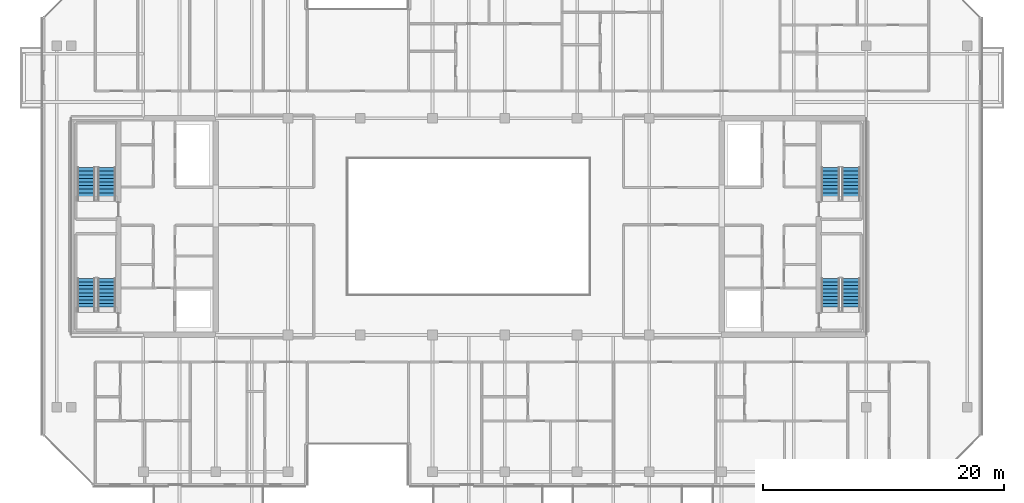
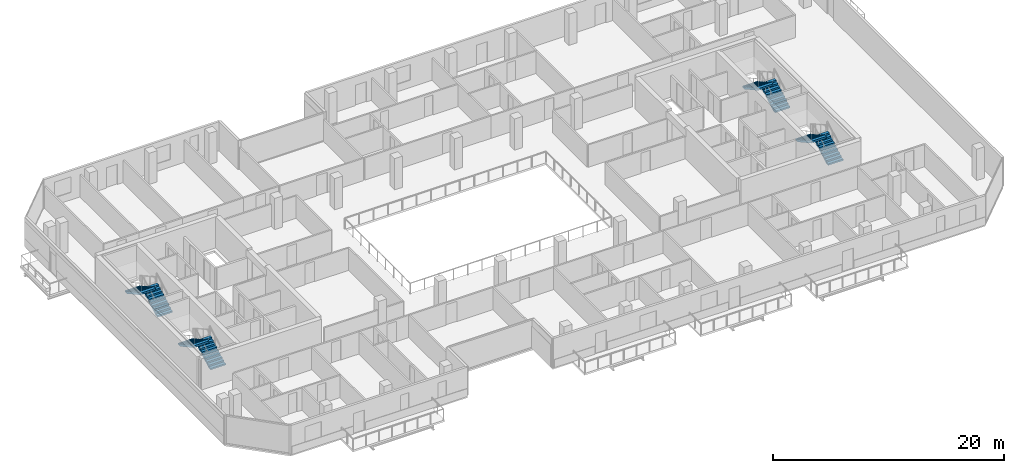
# One storey, part 24 of 28: 8 stair flights, 4 elements without a shape of their own.
"""IFC4 building model written with IfcOpenShell, lengths in metres."""

from ifc_helpers import new_model, si_unit, direction, frame, origin, place, context, subcontext, project, spatial, polyline, outline, extrude, material, type_object, element, aggregate, save


model = new_model("IFC4")

# Units and contexts
model_context = context("Model", 3, precision=1e-05, world=origin(), true_north=direction((0.0, 1.0)))
body_context = subcontext(model_context, "Body", "Model", "MODEL_VIEW")
ifc_project = project(units=[si_unit("LENGTHUNIT", "METRE"), si_unit("AREAUNIT", "SQUARE_METRE"), si_unit("VOLUMEUNIT", "CUBIC_METRE"), si_unit("PLANEANGLEUNIT", "RADIAN"), si_unit("MASSUNIT", "GRAM", prefix="KILO")], contexts=[model_context])

# Site, building, storey
site_placement = place(None, origin())
site = spatial("IfcSite", under=ifc_project, at=site_placement, CompositionType="ELEMENT")
building_placement = place(site_placement, origin())
building = spatial("IfcBuilding", under=site, at=building_placement, Name="Tanjung Sevakor Pilgrim Tower", CompositionType="ELEMENT")
storey_placement = place(building_placement, frame((0.0, 0.0, 185.1298828125)))
storey = spatial("IfcBuildingStorey", under=building, at=storey_placement, Name="L51", CompositionType="ELEMENT", Elevation=185.1298828125)

# Stair, stair flights
ifc_material_1 = material(Name="Concrete C40/50", Category="concrete")
stair_type = type_object("IfcStairType", Name="STAIR-ST-CR150", PredefinedType="HALF_TURN_STAIR", material=ifc_material_1)
stair_1_placement = place(storey_placement, origin())
stair_1 = element("IfcStair", 1, at=stair_1_placement, inside=storey, type_object=stair_type, Name="L51 West Core Exit Stair 1", PredefinedType="HALF_TURN_STAIR")
ifc_material_2 = material(Name="Concrete C40/50", Category="concrete")
stair_flight_type = type_object("IfcStairFlightType", Name="FLIGHT-ST-CR150", PredefinedType="STRAIGHT", material=ifc_material_2)
stair_flight_1_placement = place(storey_placement, frame((26.949951171875, 26.60009765625, 0.0), z_axis=(0.0, 0.0, 1.0), x_axis=(0.0, 1.0, 0.0)))
stair_flight_1 = element("IfcStairFlight", 2, at=stair_flight_1_placement, type_object=stair_flight_type, Name="TS-W1 flight 1", NumberOfRisers=10, NumberOfTreads=9, PredefinedType="STRAIGHT", RiserHeight=0.165, TreadLength=0.3, context=body_context, shape_type="SweptSolid", body=[
    extrude(outline(polyline([(0.0, 0.0), (0.0, 0.1650390625), (0.300048828125, 0.1650390625), (0.300048828125, 0.330078125), (0.60009765625, 0.330078125), (0.60009765625, 0.4951171875), (0.89990234375, 0.4951171875), (0.89990234375, 0.659912109375), (1.199951171875, 0.659912109375), (1.199951171875, 0.824951171875), (1.5, 0.824951171875), (1.5, 0.989990234375), (1.800048828125, 0.989990234375), (1.800048828125, 1.155029296875), (2.10009765625, 1.155029296875), (2.10009765625, 1.320068359375), (2.39990234375, 1.320068359375), (2.39990234375, 1.485107421875), (2.699951171875, 1.485107421875), (2.699951171875, 1.64990234375), (2.699951171875, 1.302490234375), (0.331787109375, 0.0), (0.0, 0.0)])), frame((0.0, 0.75, 0.0), z_axis=(0.0, -1.0, 0.0), x_axis=(1.0, 0.0, 0.0)), (0.0, 0.0, 1.0), 1.5),
])
stair_flight_2_placement = place(storey_placement, frame((25.25, 29.300048828125, 1.650146484375), z_axis=(0.0, 0.0, 1.0), x_axis=(0.0, -1.0, 0.0)))
stair_flight_2 = element("IfcStairFlight", 3, at=stair_flight_2_placement, type_object=stair_flight_type, Name="TS-W1 flight 2", NumberOfRisers=10, NumberOfTreads=9, PredefinedType="STRAIGHT", RiserHeight=0.165, TreadLength=0.3, context=body_context, shape_type="SweptSolid", body=[
    extrude(outline(polyline([(0.0, 0.0), (0.0, 0.1650390625), (0.300048828125, 0.1650390625), (0.300048828125, 0.330078125), (0.60009765625, 0.330078125), (0.60009765625, 0.4951171875), (0.89990234375, 0.4951171875), (0.89990234375, 0.659912109375), (1.199951171875, 0.659912109375), (1.199951171875, 0.824951171875), (1.5, 0.824951171875), (1.5, 0.989990234375), (1.800048828125, 0.989990234375), (1.800048828125, 1.155029296875), (2.10009765625, 1.155029296875), (2.10009765625, 1.320068359375), (2.39990234375, 1.320068359375), (2.39990234375, 1.485107421875), (2.699951171875, 1.485107421875), (2.699951171875, 1.64990234375), (2.699951171875, 1.302490234375), (0.331787109375, 0.0), (0.0, 0.0)])), frame((0.0, 0.75, 0.0), z_axis=(0.0, -1.0, 0.0), x_axis=(1.0, 0.0, 0.0)), (0.0, 0.0, 1.0), 1.5),
])
aggregate(stair_1, [stair_flight_1, stair_flight_2])

stair_2_placement = place(storey_placement, origin())
stair_2 = element("IfcStair", 4, at=stair_2_placement, inside=storey, type_object=stair_type, Name="L51 West Core Exit Stair 2", PredefinedType="HALF_TURN_STAIR")
stair_flight_3_placement = place(storey_placement, frame((26.949951171875, 35.800048828125, 0.0), z_axis=(0.0, 0.0, 1.0), x_axis=(0.0, 1.0, 0.0)))
stair_flight_3 = element("IfcStairFlight", 5, at=stair_flight_3_placement, type_object=stair_flight_type, Name="TS-W2 flight 1", NumberOfRisers=10, NumberOfTreads=9, PredefinedType="STRAIGHT", RiserHeight=0.165, TreadLength=0.3, context=body_context, shape_type="SweptSolid", body=[
    extrude(outline(polyline([(0.0, 0.0), (0.0, 0.1650390625), (0.300048828125, 0.1650390625), (0.300048828125, 0.330078125), (0.60009765625, 0.330078125), (0.60009765625, 0.4951171875), (0.89990234375, 0.4951171875), (0.89990234375, 0.659912109375), (1.199951171875, 0.659912109375), (1.199951171875, 0.824951171875), (1.5, 0.824951171875), (1.5, 0.989990234375), (1.800048828125, 0.989990234375), (1.800048828125, 1.155029296875), (2.10009765625, 1.155029296875), (2.10009765625, 1.320068359375), (2.39990234375, 1.320068359375), (2.39990234375, 1.485107421875), (2.699951171875, 1.485107421875), (2.699951171875, 1.64990234375), (2.699951171875, 1.302490234375), (0.331787109375, 0.0), (0.0, 0.0)])), frame((0.0, 0.75, 0.0), z_axis=(0.0, -1.0, 0.0), x_axis=(1.0, 0.0, 0.0)), (0.0, 0.0, 1.0), 1.5),
])
stair_flight_4_placement = place(storey_placement, frame((25.25, 38.5, 1.650146484375), z_axis=(0.0, 0.0, 1.0), x_axis=(0.0, -1.0, 0.0)))
stair_flight_4 = element("IfcStairFlight", 6, at=stair_flight_4_placement, type_object=stair_flight_type, Name="TS-W2 flight 2", NumberOfRisers=10, NumberOfTreads=9, PredefinedType="STRAIGHT", RiserHeight=0.165, TreadLength=0.3, context=body_context, shape_type="SweptSolid", body=[
    extrude(outline(polyline([(0.0, 0.0), (0.0, 0.1650390625), (0.300048828125, 0.1650390625), (0.300048828125, 0.330078125), (0.60009765625, 0.330078125), (0.60009765625, 0.4951171875), (0.89990234375, 0.4951171875), (0.89990234375, 0.659912109375), (1.199951171875, 0.659912109375), (1.199951171875, 0.824951171875), (1.5, 0.824951171875), (1.5, 0.989990234375), (1.800048828125, 0.989990234375), (1.800048828125, 1.155029296875), (2.10009765625, 1.155029296875), (2.10009765625, 1.320068359375), (2.39990234375, 1.320068359375), (2.39990234375, 1.485107421875), (2.699951171875, 1.485107421875), (2.699951171875, 1.64990234375), (2.699951171875, 1.302490234375), (0.331787109375, 0.0), (0.0, 0.0)])), frame((0.0, 0.75, 0.0), z_axis=(0.0, -1.0, 0.0), x_axis=(1.0, 0.0, 0.0)), (0.0, 0.0, 1.0), 1.5),
])
aggregate(stair_2, [stair_flight_3, stair_flight_4])

stair_3_placement = place(storey_placement, origin())
stair_3 = element("IfcStair", 7, at=stair_3_placement, inside=storey, type_object=stair_type, Name="L51 East Core Exit Stair 1", PredefinedType="HALF_TURN_STAIR")
stair_flight_5_placement = place(storey_placement, frame((88.75, 26.60009765625, 0.0), z_axis=(0.0, 0.0, 1.0), x_axis=(0.0, 1.0, 0.0)))
stair_flight_5 = element("IfcStairFlight", 8, at=stair_flight_5_placement, type_object=stair_flight_type, Name="TS-E1 flight 1", NumberOfRisers=10, NumberOfTreads=9, PredefinedType="STRAIGHT", RiserHeight=0.165, TreadLength=0.3, context=body_context, shape_type="SweptSolid", body=[
    extrude(outline(polyline([(0.0, 0.0), (0.0, 0.1650390625), (0.300048828125, 0.1650390625), (0.300048828125, 0.330078125), (0.60009765625, 0.330078125), (0.60009765625, 0.4951171875), (0.89990234375, 0.4951171875), (0.89990234375, 0.659912109375), (1.199951171875, 0.659912109375), (1.199951171875, 0.824951171875), (1.5, 0.824951171875), (1.5, 0.989990234375), (1.800048828125, 0.989990234375), (1.800048828125, 1.155029296875), (2.10009765625, 1.155029296875), (2.10009765625, 1.320068359375), (2.39990234375, 1.320068359375), (2.39990234375, 1.485107421875), (2.699951171875, 1.485107421875), (2.699951171875, 1.64990234375), (2.699951171875, 1.302490234375), (0.331787109375, 0.0), (0.0, 0.0)])), frame((0.0, 0.75, 0.0), z_axis=(0.0, -1.0, 0.0), x_axis=(1.0, 0.0, 0.0)), (0.0, 0.0, 1.0), 1.5),
])
stair_flight_6_placement = place(storey_placement, frame((87.050048828125, 29.300048828125, 1.650146484375), z_axis=(0.0, 0.0, 1.0), x_axis=(0.0, -1.0, 0.0)))
stair_flight_6 = element("IfcStairFlight", 9, at=stair_flight_6_placement, type_object=stair_flight_type, Name="TS-E1 flight 2", NumberOfRisers=10, NumberOfTreads=9, PredefinedType="STRAIGHT", RiserHeight=0.165, TreadLength=0.3, context=body_context, shape_type="SweptSolid", body=[
    extrude(outline(polyline([(0.0, 0.0), (0.0, 0.1650390625), (0.300048828125, 0.1650390625), (0.300048828125, 0.330078125), (0.60009765625, 0.330078125), (0.60009765625, 0.4951171875), (0.89990234375, 0.4951171875), (0.89990234375, 0.659912109375), (1.199951171875, 0.659912109375), (1.199951171875, 0.824951171875), (1.5, 0.824951171875), (1.5, 0.989990234375), (1.800048828125, 0.989990234375), (1.800048828125, 1.155029296875), (2.10009765625, 1.155029296875), (2.10009765625, 1.320068359375), (2.39990234375, 1.320068359375), (2.39990234375, 1.485107421875), (2.699951171875, 1.485107421875), (2.699951171875, 1.64990234375), (2.699951171875, 1.302490234375), (0.331787109375, 0.0), (0.0, 0.0)])), frame((0.0, 0.75, 0.0), z_axis=(0.0, -1.0, 0.0), x_axis=(1.0, 0.0, 0.0)), (0.0, 0.0, 1.0), 1.5),
])
aggregate(stair_3, [stair_flight_5, stair_flight_6])

stair_4_placement = place(storey_placement, origin())
stair_4 = element("IfcStair", 10, at=stair_4_placement, inside=storey, type_object=stair_type, Name="L51 East Core Exit Stair 2", PredefinedType="HALF_TURN_STAIR")
stair_flight_7_placement = place(storey_placement, frame((88.75, 35.800048828125, 0.0), z_axis=(0.0, 0.0, 1.0), x_axis=(0.0, 1.0, 0.0)))
stair_flight_7 = element("IfcStairFlight", 11, at=stair_flight_7_placement, type_object=stair_flight_type, Name="TS-E2 flight 1", NumberOfRisers=10, NumberOfTreads=9, PredefinedType="STRAIGHT", RiserHeight=0.165, TreadLength=0.3, context=body_context, shape_type="SweptSolid", body=[
    extrude(outline(polyline([(0.0, 0.0), (0.0, 0.1650390625), (0.300048828125, 0.1650390625), (0.300048828125, 0.330078125), (0.60009765625, 0.330078125), (0.60009765625, 0.4951171875), (0.89990234375, 0.4951171875), (0.89990234375, 0.659912109375), (1.199951171875, 0.659912109375), (1.199951171875, 0.824951171875), (1.5, 0.824951171875), (1.5, 0.989990234375), (1.800048828125, 0.989990234375), (1.800048828125, 1.155029296875), (2.10009765625, 1.155029296875), (2.10009765625, 1.320068359375), (2.39990234375, 1.320068359375), (2.39990234375, 1.485107421875), (2.699951171875, 1.485107421875), (2.699951171875, 1.64990234375), (2.699951171875, 1.302490234375), (0.331787109375, 0.0), (0.0, 0.0)])), frame((0.0, 0.75, 0.0), z_axis=(0.0, -1.0, 0.0), x_axis=(1.0, 0.0, 0.0)), (0.0, 0.0, 1.0), 1.5),
])
stair_flight_8_placement = place(storey_placement, frame((87.050048828125, 38.5, 1.650146484375), z_axis=(0.0, 0.0, 1.0), x_axis=(0.0, -1.0, 0.0)))
stair_flight_8 = element("IfcStairFlight", 12, at=stair_flight_8_placement, type_object=stair_flight_type, Name="TS-E2 flight 2", NumberOfRisers=10, NumberOfTreads=9, PredefinedType="STRAIGHT", RiserHeight=0.165, TreadLength=0.3, context=body_context, shape_type="SweptSolid", body=[
    extrude(outline(polyline([(0.0, 0.0), (0.0, 0.1650390625), (0.300048828125, 0.1650390625), (0.300048828125, 0.330078125), (0.60009765625, 0.330078125), (0.60009765625, 0.4951171875), (0.89990234375, 0.4951171875), (0.89990234375, 0.659912109375), (1.199951171875, 0.659912109375), (1.199951171875, 0.824951171875), (1.5, 0.824951171875), (1.5, 0.989990234375), (1.800048828125, 0.989990234375), (1.800048828125, 1.155029296875), (2.10009765625, 1.155029296875), (2.10009765625, 1.320068359375), (2.39990234375, 1.320068359375), (2.39990234375, 1.485107421875), (2.699951171875, 1.485107421875), (2.699951171875, 1.64990234375), (2.699951171875, 1.302490234375), (0.331787109375, 0.0), (0.0, 0.0)])), frame((0.0, 0.75, 0.0), z_axis=(0.0, -1.0, 0.0), x_axis=(1.0, 0.0, 0.0)), (0.0, 0.0, 1.0), 1.5),
])
aggregate(stair_4, [stair_flight_7, stair_flight_8])

save(model, "model.ifc")
